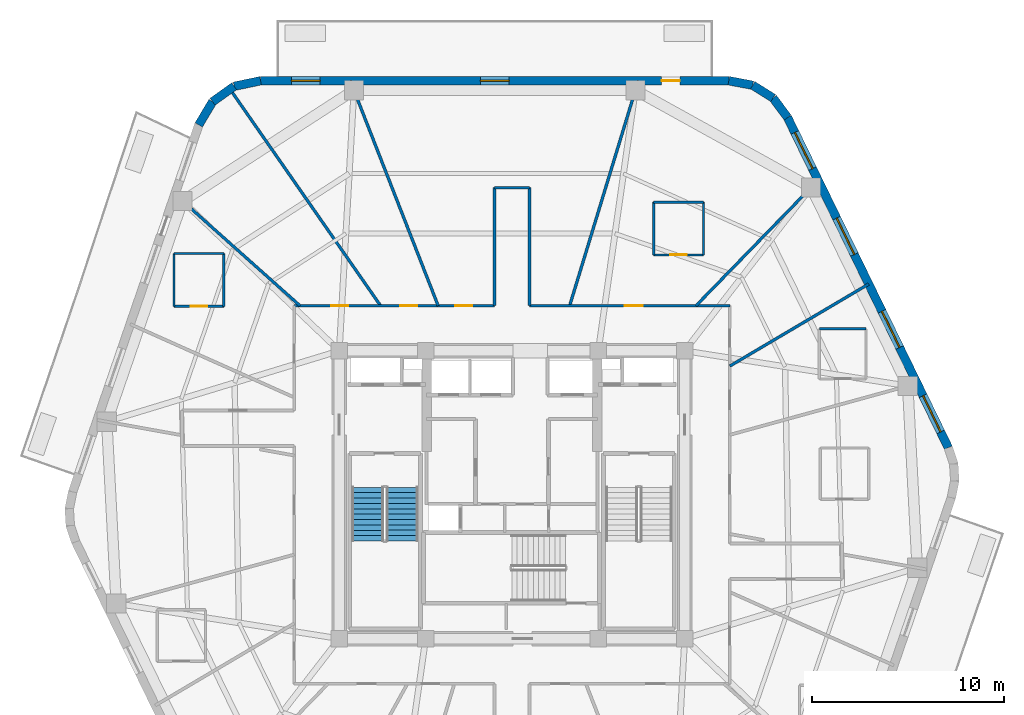
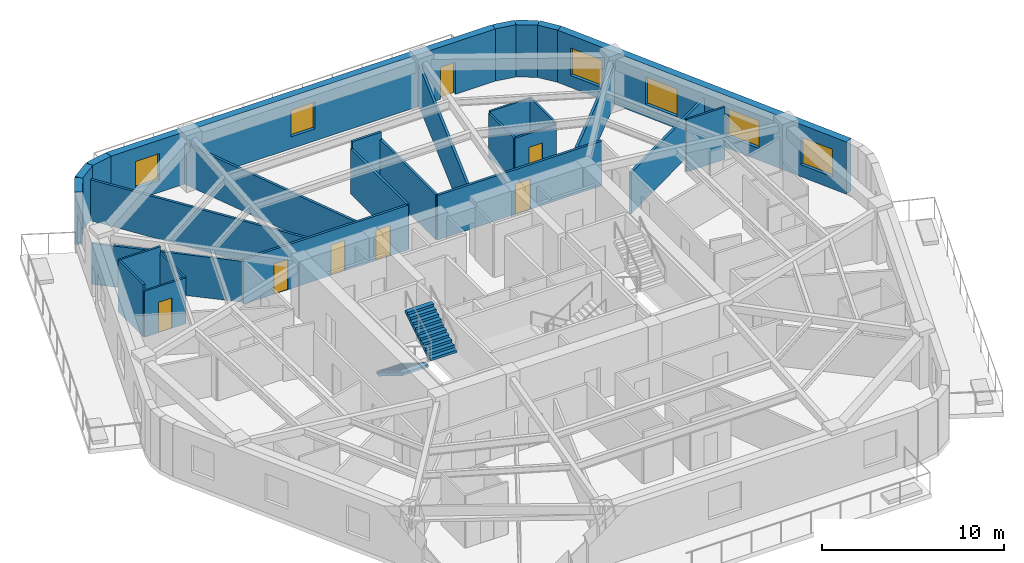
# One storey, part 6 of 9: 28 walls, 7 doors, 6 windows, 2 stair flights, 13 openings, 1 element without a shape of its own.
"""IFC4 building model written with IfcOpenShell, lengths in metres."""

from ifc_helpers import new_model, si_unit, direction, frame, frame_2d, origin, place, context, subcontext, project, spatial, polyline, rectangle, outline, extrude, material, layer, layer_set, type_object, element, fill, aggregate, save


model = new_model("IFC4")

# Units and contexts
model_context = context("Model", 3, precision=1e-05, world=origin(), true_north=direction((0.0, 1.0)))
body_context = subcontext(model_context, "Body", "Model", "MODEL_VIEW")
ifc_project = project(units=[si_unit("LENGTHUNIT", "METRE"), si_unit("AREAUNIT", "SQUARE_METRE"), si_unit("VOLUMEUNIT", "CUBIC_METRE"), si_unit("PLANEANGLEUNIT", "RADIAN"), si_unit("MASSUNIT", "GRAM", prefix="KILO")], contexts=[model_context])

# Site, building, storey
site_placement = place(None, origin())
site = spatial("IfcSite", under=ifc_project, at=site_placement, CompositionType="ELEMENT")
building_placement = place(site_placement, origin())
building = spatial("IfcBuilding", under=site, at=building_placement, Name="Kilnhurst Terrace Hotel", CompositionType="ELEMENT")
storey_placement = place(building_placement, frame((0.0, 0.0, 225.5)))
storey = spatial("IfcBuildingStorey", under=building, at=storey_placement, Name="L56", CompositionType="ELEMENT", Elevation=225.5)

# Walls
ifc_material_1 = material(Name="Precast concrete C40/50", Category="concrete")
ifc_layer_1 = layer(ifc_material_1, 0.449951171875, Name="Precast concrete C40/50")
ifc_layer_set_1 = layer_set([ifc_layer_1], Name="Precast concrete C40/50")
wall_type_1 = type_object("IfcWallType", Name="WL-BRK-450", PredefinedType="SOLIDWALL", material=ifc_layer_set_1)
wall_1_placement = place(storey_placement, frame((14.3623046875, 19.658447265625, 0.0), z_axis=(0.0, 0.0, 1.0), x_axis=(-0.596642462792, 0.80250717853, 0.0)))
element("IfcWall", 1, at=wall_1_placement, inside=storey, type_object=wall_type_1, Name="L56 Rounded Corner Brick Wall C4.1", PredefinedType="SOLIDWALL", context=body_context, shape_type="SweptSolid", body=[
    extrude(rectangle(XDim=1.27001953125, YDim=0.449951171875, at=frame_2d((0.635009765625, 0.0))), origin(), (0.0, 0.0, 1.0), 3.5),
])
wall_2_placement = place(storey_placement, frame((13.6044921875, 20.677734375, 0.0), z_axis=(0.0, 0.0, 1.0), x_axis=(-0.847910404124, 0.53013955387, 0.0)))
element("IfcWall", 2, at=wall_2_placement, inside=storey, type_object=wall_type_1, Name="L56 Rounded Corner Brick Wall C4.2", PredefinedType="SOLIDWALL", context=body_context, shape_type="SweptSolid", body=[
    extrude(rectangle(XDim=1.24853515625, YDim=0.449951171875, at=frame_2d((0.624267578125, 0.0))), origin(), (0.0, 0.0, 1.0), 3.5),
])
wall_3_placement = place(storey_placement, frame((12.5458984375, 21.339599609375, 0.0), z_axis=(0.0, 0.0, 1.0), x_axis=(-0.982686750835, 0.18527479519, 0.0)))
element("IfcWall", 3, at=wall_3_placement, inside=storey, type_object=wall_type_1, Name="L56 Rounded Corner Brick Wall C4.3", PredefinedType="SOLIDWALL", context=body_context, shape_type="SweptSolid", body=[
    extrude(rectangle(XDim=1.270263671875, YDim=0.449951171875, at=frame_2d((0.63525390625, 0.0))), origin(), (0.0, 0.0, 1.0), 3.5),
])
wall_4_placement = place(storey_placement, frame((-13.1015625, 21.574951171875, 0.0), z_axis=(0.0, 0.0, 1.0), x_axis=(-0.978757421505, -0.205021730188, 0.0)))
element("IfcWall", 4, at=wall_4_placement, inside=storey, type_object=wall_type_1, Name="L56 Rounded Corner Brick Wall C5.1", PredefinedType="SOLIDWALL", context=body_context, shape_type="SweptSolid", body=[
    extrude(rectangle(XDim=1.40625, YDim=0.449951171875, at=frame_2d((0.703125, 0.0))), origin(), (0.0, 0.0, 1.0), 3.5),
])
wall_5_placement = place(storey_placement, frame((-14.47802734375, 21.28662109375, 0.0), z_axis=(0.0, 0.0, 1.0), x_axis=(-0.813888518617, -0.58102106611, 0.0)))
element("IfcWall", 5, at=wall_5_placement, inside=storey, type_object=wall_type_1, Name="L56 Rounded Corner Brick Wall C5.2", PredefinedType="SOLIDWALL", context=body_context, shape_type="SweptSolid", body=[
    extrude(rectangle(XDim=1.3828125, YDim=0.449951171875, at=frame_2d((0.69140625, 0.0))), origin(), (0.0, 0.0, 1.0), 3.5),
])
wall_6_placement = place(storey_placement, frame((-15.603515625, 20.483154296875, 0.0), z_axis=(0.0, 0.0, 1.0), x_axis=(-0.512222149036, -0.858852996756, 0.0)))
element("IfcWall", 6, at=wall_6_placement, inside=storey, type_object=wall_type_1, Name="L56 Rounded Corner Brick Wall C5.3", PredefinedType="SOLIDWALL", context=body_context, shape_type="SweptSolid", body=[
    extrude(rectangle(XDim=1.406494140625, YDim=0.449951171875, at=frame_2d((0.703125, 0.0))), origin(), (0.0, 0.0, 1.0), 3.5),
])

# Wall, openings, windows
wall_7_placement = place(storey_placement, frame((22.73974609375, 2.4521484375, 0.0), z_axis=(0.0, 0.0, 1.0), x_axis=(-0.437753424814, 0.899095066755, 0.0)))
wall_7 = element("IfcWall", 7, at=wall_7_placement, inside=storey, type_object=wall_type_1, Name="L56 Exterior Brick Facade Wall F3", PredefinedType="SOLIDWALL", context=body_context, shape_type="SweptSolid", body=[
    extrude(rectangle(XDim=19.137451171875, YDim=0.449951171875, at=frame_2d((9.56884765625, 0.0))), origin(), (0.0, 0.0, 1.0), 3.5),
])
opening_1_placement = place(wall_7_placement, frame((5.804931640625, 0.0, 0.800048828125)))
opening_1 = element("IfcOpeningElement", 8, at=opening_1_placement, cuts=wall_7, Name="Opening W-04", PredefinedType="OPENING", context=body_context, shape_type="SweptSolid", body=[
    extrude(rectangle(XDim=2.10009765625, YDim=1.85009765625, at=frame_2d((1.050048828125, 0.925048828125))), frame((0.0, 0.23486328125, 0.0), z_axis=(0.0, -1.0, 0.0), x_axis=(1.0, 0.0, 0.0)), (0.0, 0.0, 1.0), 0.469970703125),
])
opening_2_placement = place(wall_7_placement, frame((11.198974609375, 0.0, 0.800048828125)))
opening_2 = element("IfcOpeningElement", 9, at=opening_2_placement, cuts=wall_7, Name="Opening W-04", PredefinedType="OPENING", context=body_context, shape_type="SweptSolid", body=[
    extrude(rectangle(XDim=2.10009765625, YDim=1.85009765625, at=frame_2d((1.050048828125, 0.925048828125))), frame((0.0, 0.23486328125, 0.0), z_axis=(0.0, -1.0, 0.0), x_axis=(1.0, 0.0, 0.0)), (0.0, 0.0, 1.0), 0.469970703125),
])
opening_3_placement = place(wall_7_placement, frame((16.173095703125, 0.0, 0.800048828125)))
opening_3 = element("IfcOpeningElement", 10, at=opening_3_placement, cuts=wall_7, Name="Opening W-04", PredefinedType="OPENING", context=body_context, shape_type="SweptSolid", body=[
    extrude(rectangle(XDim=2.10009765625, YDim=1.85009765625, at=frame_2d((1.050048828125, 0.925048828125))), frame((0.0, 0.23486328125, 0.0), z_axis=(0.0, -1.0, 0.0), x_axis=(1.0, 0.0, 0.0)), (0.0, 0.0, 1.0), 0.469970703125),
])
opening_4_placement = place(wall_7_placement, frame((0.916015625, 0.0, 0.800048828125)))
opening_4 = element("IfcOpeningElement", 11, at=opening_4_placement, cuts=wall_7, Name="Opening W-04", PredefinedType="OPENING", context=body_context, shape_type="SweptSolid", body=[
    extrude(rectangle(XDim=2.10009765625, YDim=1.85009765625, at=frame_2d((1.050048828125, 0.925048828125))), frame((0.0, 0.23486328125, 0.0), z_axis=(0.0, -1.0, 0.0), x_axis=(1.0, 0.0, 0.0)), (0.0, 0.0, 1.0), 0.469970703125),
])
ifc_material_2 = material(Name="Thermally Broken Bronze Aluminium Alloy 6063-T6 and Low-E Glass", Category="aluminium")
window_type_1 = type_object("IfcWindowType", Name="WIN-2100X1850", PartitioningType="SINGLE_PANEL", PredefinedType="WINDOW", material=ifc_material_2)
window_1_placement = place(opening_1_placement, origin())
window_1 = element("IfcWindow", 12, at=window_1_placement, inside=storey, type_object=window_type_1, Name="L56 Deep-Set Masonry Window F3.1", OverallHeight=1.85009765625, OverallWidth=2.10009765625, PartitioningType="SINGLE_PANEL", PredefinedType="WINDOW", context=body_context, shape_type="SweptSolid", body=[
    extrude(rectangle(XDim=2.10009765625, YDim=1.85009765625, at=frame_2d((1.050048828125, 0.925048828125))), frame((0.0, 0.030029296875, 0.0), z_axis=(0.0, -1.0, 0.0), x_axis=(1.0, 0.0, 0.0)), (0.0, 0.0, 1.0), 0.06005859375),
])
fill(opening_1, window_1)
window_2_placement = place(opening_2_placement, origin())
window_2 = element("IfcWindow", 13, at=window_2_placement, inside=storey, type_object=window_type_1, Name="L56 Deep-Set Masonry Window F3.2", OverallHeight=1.85009765625, OverallWidth=2.10009765625, PartitioningType="SINGLE_PANEL", PredefinedType="WINDOW", context=body_context, shape_type="SweptSolid", body=[
    extrude(rectangle(XDim=2.10009765625, YDim=1.85009765625, at=frame_2d((1.050048828125, 0.925048828125))), frame((0.0, 0.030029296875, 0.0), z_axis=(0.0, -1.0, 0.0), x_axis=(1.0, 0.0, 0.0)), (0.0, 0.0, 1.0), 0.06005859375),
])
fill(opening_2, window_2)
window_3_placement = place(opening_3_placement, origin())
window_3 = element("IfcWindow", 14, at=window_3_placement, inside=storey, type_object=window_type_1, Name="L56 Deep-Set Masonry Window F3.3", OverallHeight=1.85009765625, OverallWidth=2.10009765625, PartitioningType="SINGLE_PANEL", PredefinedType="WINDOW", context=body_context, shape_type="SweptSolid", body=[
    extrude(rectangle(XDim=2.10009765625, YDim=1.85009765625, at=frame_2d((1.050048828125, 0.925048828125))), frame((0.0, 0.030029296875, 0.0), z_axis=(0.0, -1.0, 0.0), x_axis=(1.0, 0.0, 0.0)), (0.0, 0.0, 1.0), 0.06005859375),
])
fill(opening_3, window_3)
window_4_placement = place(opening_4_placement, origin())
window_4 = element("IfcWindow", 15, at=window_4_placement, inside=storey, type_object=window_type_1, Name="L56 Deep-Set Masonry Window F3.4", OverallHeight=1.85009765625, OverallWidth=2.10009765625, PartitioningType="SINGLE_PANEL", PredefinedType="WINDOW", context=body_context, shape_type="SweptSolid", body=[
    extrude(rectangle(XDim=2.10009765625, YDim=1.85009765625, at=frame_2d((1.050048828125, 0.925048828125))), frame((0.0, 0.030029296875, 0.0), z_axis=(0.0, -1.0, 0.0), x_axis=(1.0, 0.0, 0.0)), (0.0, 0.0, 1.0), 0.06005859375),
])
fill(opening_4, window_4)

# Wall, openings, door, windows
wall_8_placement = place(storey_placement, frame((11.297607421875, 21.574951171875, 0.0), z_axis=(0.0, 0.0, 1.0), x_axis=(-1.0, 0.0, 0.0)))
wall_8 = element("IfcWall", 16, at=wall_8_placement, inside=storey, type_object=wall_type_1, Name="L56 Exterior Brick Facade Wall F4", PredefinedType="SOLIDWALL", context=body_context, shape_type="SweptSolid", body=[
    extrude(rectangle(XDim=24.399169921875, YDim=0.449951171875, at=frame_2d((12.19970703125, 0.0))), origin(), (0.0, 0.0, 1.0), 3.5),
])
opening_5_placement = place(wall_8_placement, frame((2.550048828125, 0.0, 0.0)))
opening_5 = element("IfcOpeningElement", 17, at=opening_5_placement, cuts=wall_8, Name="Opening BD-950", PredefinedType="OPENING", context=body_context, shape_type="SweptSolid", body=[
    extrude(rectangle(XDim=0.949951171875, YDim=2.14990234375, at=frame_2d((0.47509765625, 1.074951171875))), frame((0.0, 0.23486328125, 0.0), z_axis=(0.0, -1.0, 0.0), x_axis=(1.0, 0.0, 0.0)), (0.0, 0.0, 1.0), 0.469970703125),
])
opening_6_placement = place(wall_8_placement, frame((11.450927734375, 0.0, 0.800048828125)))
opening_6 = element("IfcOpeningElement", 18, at=opening_6_placement, cuts=wall_8, Name="Opening W-02", PredefinedType="OPENING", context=body_context, shape_type="SweptSolid", body=[
    extrude(rectangle(XDim=1.5, YDim=1.800048828125, at=frame_2d((0.75, 0.89990234375))), frame((0.0, 0.23486328125, 0.0), z_axis=(0.0, -1.0, 0.0), x_axis=(1.0, 0.0, 0.0)), (0.0, 0.0, 1.0), 0.469970703125),
])
opening_7_placement = place(wall_8_placement, frame((21.2958984375, 0.0, 0.800048828125)))
opening_7 = element("IfcOpeningElement", 19, at=opening_7_placement, cuts=wall_8, Name="Opening W-02", PredefinedType="OPENING", context=body_context, shape_type="SweptSolid", body=[
    extrude(rectangle(XDim=1.5, YDim=1.800048828125, at=frame_2d((0.75, 0.89990234375))), frame((0.0, 0.23486328125, 0.0), z_axis=(0.0, -1.0, 0.0), x_axis=(1.0, 0.0, 0.0)), (0.0, 0.0, 1.0), 0.469970703125),
])
ifc_material_3 = material(Name="Thermally Broken Bronze Aluminium Alloy 6063-T6 and Laminated Glass", Category="aluminium")
door_type_1 = type_object("IfcDoorType", Name="DR-EXT-BAL-950", OperationType="NOTDEFINED", PredefinedType="DOOR", material=ifc_material_3)
door_1_placement = place(opening_5_placement, origin())
door_1 = element("IfcDoor", 20, at=door_1_placement, inside=storey, type_object=door_type_1, Name="L56 Planted Balcony Door BAL-L2A", OperationType="SINGLE_SWING_RIGHT", OverallHeight=2.14990234375, OverallWidth=0.949951171875, PredefinedType="DOOR", context=body_context, shape_type="SweptSolid", body=[
    extrude(rectangle(XDim=0.949951171875, YDim=2.14990234375, at=frame_2d((0.47509765625, 1.074951171875))), frame((0.0, 0.02490234375, 0.0), z_axis=(0.0, -1.0, 0.0), x_axis=(1.0, 0.0, 0.0)), (0.0, 0.0, 1.0), 0.050048828125),
])
fill(opening_5, door_1)
window_type_2 = type_object("IfcWindowType", Name="WIN-1500X1800", PartitioningType="SINGLE_PANEL", PredefinedType="WINDOW", material=ifc_material_2)
window_5_placement = place(opening_6_placement, origin())
window_5 = element("IfcWindow", 21, at=window_5_placement, inside=storey, type_object=window_type_2, Name="L56 Deep-Set Masonry Window F4.1", OverallHeight=1.800048828125, OverallWidth=1.5, PartitioningType="SINGLE_PANEL", PredefinedType="WINDOW", context=body_context, shape_type="SweptSolid", body=[
    extrude(rectangle(XDim=1.5, YDim=1.800048828125, at=frame_2d((0.75, 0.89990234375))), frame((0.0, 0.030029296875, 0.0), z_axis=(0.0, -1.0, 0.0), x_axis=(1.0, 0.0, 0.0)), (0.0, 0.0, 1.0), 0.06005859375),
])
fill(opening_6, window_5)
window_6_placement = place(opening_7_placement, origin())
window_6 = element("IfcWindow", 22, at=window_6_placement, inside=storey, type_object=window_type_2, Name="L56 Deep-Set Masonry Window F4.2", OverallHeight=1.800048828125, OverallWidth=1.5, PartitioningType="SINGLE_PANEL", PredefinedType="WINDOW", context=body_context, shape_type="SweptSolid", body=[
    extrude(rectangle(XDim=1.5, YDim=1.800048828125, at=frame_2d((0.75, 0.89990234375))), frame((0.0, 0.030029296875, 0.0), z_axis=(0.0, -1.0, 0.0), x_axis=(1.0, 0.0, 0.0)), (0.0, 0.0, 1.0), 0.06005859375),
])
fill(opening_7, window_6)

# Wall, openings, doors
ifc_material_4 = material(Name="Acoustic Double-Gypsum Corridor Partition Assembly")
ifc_layer_2 = layer(ifc_material_4, 0.14990234375, Name="Acoustic Double-Gypsum Corridor Partition Assembly")
ifc_layer_set_2 = layer_set([ifc_layer_2], Name="Acoustic Double-Gypsum Corridor Partition Assembly")
wall_type_2 = type_object("IfcWallType", Name="WL-COR-150", PredefinedType="PARTITIONING", material=ifc_layer_set_2)
wall_9_placement = place(storey_placement, frame((-11.35009765625, 9.85009765625, 0.0), z_axis=(0.0, 0.0, 1.0), x_axis=(1.0, 0.0, 0.0)))
wall_9 = element("IfcWall", 23, at=wall_9_placement, inside=storey, type_object=wall_type_2, Name="L56 Interior Wall WL-L56-COR-06", PredefinedType="PARTITIONING", context=body_context, shape_type="SweptSolid", body=[
    extrude(rectangle(XDim=10.43017578125, YDim=0.14990234375, at=frame_2d((5.215087890625, 0.0))), origin(), (0.0, 0.0, 1.0), 2.989990234375),
])
opening_8_placement = place(wall_9_placement, frame((8.386962890625, 0.0, 0.0)))
opening_8 = element("IfcOpeningElement", 24, at=opening_8_placement, cuts=wall_9, Name="Opening D-60C", PredefinedType="OPENING", context=body_context, shape_type="SweptSolid", body=[
    extrude(rectangle(XDim=0.89990234375, YDim=2.030029296875, at=frame_2d((0.449951171875, 1.01513671875))), frame((0.0, 0.0849609375, 0.0), z_axis=(0.0, -1.0, 0.0), x_axis=(1.0, 0.0, 0.0)), (0.0, 0.0, 1.0), 0.169921875),
])
opening_9_placement = place(wall_9_placement, frame((5.52490234375, 0.0, 0.0)))
opening_9 = element("IfcOpeningElement", 25, at=opening_9_placement, cuts=wall_9, Name="Opening D-60C", PredefinedType="OPENING", context=body_context, shape_type="SweptSolid", body=[
    extrude(rectangle(XDim=0.89990234375, YDim=2.030029296875, at=frame_2d((0.449951171875, 1.01513671875))), frame((0.0, 0.0849609375, 0.0), z_axis=(0.0, -1.0, 0.0), x_axis=(1.0, 0.0, 0.0)), (0.0, 0.0, 1.0), 0.169921875),
])
opening_10_placement = place(wall_9_placement, frame((1.9208984375, 0.0, 0.0)))
opening_10 = element("IfcOpeningElement", 26, at=opening_10_placement, cuts=wall_9, Name="Opening D-60C", PredefinedType="OPENING", context=body_context, shape_type="SweptSolid", body=[
    extrude(rectangle(XDim=0.89990234375, YDim=2.030029296875, at=frame_2d((0.449951171875, 1.01513671875))), frame((0.0, 0.0849609375, 0.0), z_axis=(0.0, -1.0, 0.0), x_axis=(1.0, 0.0, 0.0)), (0.0, 0.0, 1.0), 0.169921875),
])
ifc_material_5 = material(Name="Painted Solid-Core Service Fire Door")
door_type_2 = type_object("IfcDoorType", Name="DR-FD60-900", OperationType="NOTDEFINED", PredefinedType="DOOR", material=ifc_material_5)
door_2_placement = place(opening_8_placement, origin())
door_2 = element("IfcDoor", 27, at=door_2_placement, inside=storey, type_object=door_type_2, Name="L56 Executive Work Office Door 4", OperationType="SINGLE_SWING_RIGHT", OverallHeight=2.030029296875, OverallWidth=0.89990234375, PredefinedType="DOOR", context=body_context, shape_type="SweptSolid", body=[
    extrude(rectangle(XDim=0.89990234375, YDim=2.030029296875, at=frame_2d((0.449951171875, 1.01513671875))), frame((0.0, 0.02490234375, 0.0), z_axis=(0.0, -1.0, 0.0), x_axis=(1.0, 0.0, 0.0)), (0.0, 0.0, 1.0), 0.050048828125),
])
fill(opening_8, door_2)
door_3_placement = place(opening_9_placement, origin())
door_3 = element("IfcDoor", 28, at=door_3_placement, inside=storey, type_object=door_type_2, Name="L56 Botanical Reading Lounge Door 5", OperationType="SINGLE_SWING_LEFT", OverallHeight=2.030029296875, OverallWidth=0.89990234375, PredefinedType="DOOR", context=body_context, shape_type="SweptSolid", body=[
    extrude(rectangle(XDim=0.89990234375, YDim=2.030029296875, at=frame_2d((0.449951171875, 1.01513671875))), frame((0.0, 0.02490234375, 0.0), z_axis=(0.0, -1.0, 0.0), x_axis=(1.0, 0.0, 0.0)), (0.0, 0.0, 1.0), 0.050048828125),
])
fill(opening_9, door_3)
door_4_placement = place(opening_10_placement, origin())
door_4 = element("IfcDoor", 29, at=door_4_placement, inside=storey, type_object=door_type_2, Name="L56 Private Meeting Salon Door 6", OperationType="SINGLE_SWING_RIGHT", OverallHeight=2.030029296875, OverallWidth=0.89990234375, PredefinedType="DOOR", context=body_context, shape_type="SweptSolid", body=[
    extrude(rectangle(XDim=0.89990234375, YDim=2.030029296875, at=frame_2d((0.449951171875, 1.01513671875))), frame((0.0, 0.02490234375, 0.0), z_axis=(0.0, -1.0, 0.0), x_axis=(1.0, 0.0, 0.0)), (0.0, 0.0, 1.0), 0.050048828125),
])
fill(opening_10, door_4)

# Walls
wall_10_placement = place(storey_placement, frame((-0.919921875, 9.85009765625, 0.0), z_axis=(0.0, 0.0, 1.0), x_axis=(0.0, 1.0, 0.0)))
element("IfcWall", 30, at=wall_10_placement, inside=storey, type_object=wall_type_2, Name="L56 Interior Wall WL-L56-COR-07", PredefinedType="PARTITIONING", context=body_context, shape_type="SweptSolid", body=[
    extrude(rectangle(XDim=6.14990234375, YDim=0.14990234375, at=frame_2d((3.074951171875, 0.0))), origin(), (0.0, 0.0, 1.0), 3.026611328125),
])
wall_11_placement = place(storey_placement, frame((-0.919921875, 16.0, 0.0), z_axis=(0.0, 0.0, 1.0), x_axis=(1.0, 0.0, 0.0)))
element("IfcWall", 31, at=wall_11_placement, inside=storey, type_object=wall_type_2, Name="L56 Interior Wall WL-L56-COR-08", PredefinedType="PARTITIONING", context=body_context, shape_type="SweptSolid", body=[
    extrude(rectangle(XDim=1.83984375, YDim=0.14990234375, at=frame_2d((0.919921875, 0.0))), origin(), (0.0, 0.0, 1.0), 3.5),
])
wall_12_placement = place(storey_placement, frame((0.919921875, 16.0, 0.0), z_axis=(0.0, 0.0, 1.0), x_axis=(0.0, -1.0, 0.0)))
element("IfcWall", 32, at=wall_12_placement, inside=storey, type_object=wall_type_2, Name="L56 Interior Wall WL-L56-COR-09", PredefinedType="PARTITIONING", context=body_context, shape_type="SweptSolid", body=[
    extrude(rectangle(XDim=6.14990234375, YDim=0.14990234375, at=frame_2d((3.074951171875, 0.0))), origin(), (0.0, 0.0, 1.0), 3.026611328125),
])

# Wall, opening, door
wall_13_placement = place(storey_placement, frame((0.919921875, 9.85009765625, 0.0), z_axis=(0.0, 0.0, 1.0), x_axis=(1.0, 0.0, 0.0)))
wall_13 = element("IfcWall", 33, at=wall_13_placement, inside=storey, type_object=wall_type_2, Name="L56 Interior Wall WL-L56-COR-10", PredefinedType="PARTITIONING", context=body_context, shape_type="SweptSolid", body=[
    extrude(rectangle(XDim=10.43017578125, YDim=0.14990234375, at=frame_2d((5.215087890625, 0.0))), origin(), (0.0, 0.0, 1.0), 2.989990234375),
])
opening_11_placement = place(wall_13_placement, frame((4.948974609375, 0.0, 0.0)))
opening_11 = element("IfcOpeningElement", 34, at=opening_11_placement, cuts=wall_13, Name="Opening D-60B", PredefinedType="OPENING", context=body_context, shape_type="SweptSolid", body=[
    extrude(rectangle(XDim=0.949951171875, YDim=2.030029296875, at=frame_2d((0.47509765625, 1.01513671875))), frame((0.0, 0.0849609375, 0.0), z_axis=(0.0, -1.0, 0.0), x_axis=(1.0, 0.0, 0.0)), (0.0, 0.0, 1.0), 0.169921875),
])
ifc_material_6 = material(Name="Acoustic Walnut Veneer Solid-Core Fire Door")
door_type_3 = type_object("IfcDoorType", Name="DR-FD60-950", OperationType="NOTDEFINED", PredefinedType="DOOR", material=ifc_material_6)
door_5_placement = place(opening_11_placement, origin())
door_5 = element("IfcDoor", 35, at=door_5_placement, inside=storey, type_object=door_type_3, Name="L56 Executive Suite Entry Door 3", OperationType="SINGLE_SWING_LEFT", OverallHeight=2.030029296875, OverallWidth=0.949951171875, PredefinedType="DOOR", context=body_context, shape_type="SweptSolid", body=[
    extrude(rectangle(XDim=0.949951171875, YDim=2.030029296875, at=frame_2d((0.47509765625, 1.01513671875))), frame((0.0, 0.02490234375, 0.0), z_axis=(0.0, -1.0, 0.0), x_axis=(1.0, 0.0, 0.0)), (0.0, 0.0, 1.0), 0.050048828125),
])
fill(opening_11, door_5)

# Walls
ifc_material_7 = material(Name="STC-58 Acoustic Twin-Frame Guestroom Demising Partition")
ifc_layer_3 = layer(ifc_material_7, 0.14990234375, Name="STC-58 Acoustic Twin-Frame Guestroom Demising Partition")
ifc_layer_set_3 = layer_set([ifc_layer_3], Name="STC-58 Acoustic Twin-Frame Guestroom Demising Partition")
wall_type_3 = type_object("IfcWallType", Name="WL-DEM-150", PredefinedType="PARTITIONING", material=ifc_layer_set_3)
wall_14_placement = place(storey_placement, frame((11.35009765625, 6.705078125, 0.0), z_axis=(0.0, 0.0, 1.0), x_axis=(0.86097625004, 0.508645158108, 0.0)))
element("IfcWall", 36, at=wall_14_placement, inside=storey, type_object=wall_type_3, Name="L56 Interior Wall WL-L56-DEM-MID01-02-1", PredefinedType="PARTITIONING", context=body_context, shape_type="SweptSolid", body=[
    extrude(rectangle(XDim=8.406005859375, YDim=0.14990234375, at=frame_2d((4.203125, 0.0))), origin(), (0.0, 0.0, 1.0), 2.739990234375),
])
wall_15_placement = place(storey_placement, frame((9.587890625, 9.85009765625, 0.0), z_axis=(0.0, 0.0, 1.0), x_axis=(0.697519469595, 0.716565830567, 0.0)))
element("IfcWall", 37, at=wall_15_placement, inside=storey, type_object=wall_type_3, Name="L56 Interior Wall WL-L56-DEM-COL02-03-1", PredefinedType="PARTITIONING", context=body_context, shape_type="SweptSolid", body=[
    extrude(rectangle(XDim=9.12646484375, YDim=0.14990234375, at=frame_2d((4.563232421875, 0.0))), origin(), (0.0, 0.0, 1.0), 2.739990234375),
])
wall_16_placement = place(storey_placement, frame((3.00439453125, 9.85009765625, 0.0), z_axis=(0.0, 0.0, 1.0), x_axis=(0.291775760688, 0.956486751333, 0.0)))
element("IfcWall", 38, at=wall_16_placement, inside=storey, type_object=wall_type_3, Name="L56 Interior Wall WL-L56-DEM-COL03-04-1", PredefinedType="PARTITIONING", context=body_context, shape_type="SweptSolid", body=[
    extrude(rectangle(XDim=12.25830078125, YDim=0.14990234375, at=frame_2d((6.129150390625, 0.0))), origin(), (0.0, 0.0, 1.0), 2.739990234375),
])
wall_17_placement = place(storey_placement, frame((-3.848388671875, 9.85009765625, 0.0), z_axis=(0.0, 0.0, 1.0), x_axis=(-0.363921778212, 0.931429513889, 0.0)))
element("IfcWall", 39, at=wall_17_placement, inside=storey, type_object=wall_type_3, Name="L56 Interior Wall WL-L56-DEM-COL04-05-1", PredefinedType="PARTITIONING", context=body_context, shape_type="SweptSolid", body=[
    extrude(rectangle(XDim=12.588134765625, YDim=0.14990234375, at=frame_2d((6.2939453125, 0.0))), origin(), (0.0, 0.0, 1.0), 2.739990234375),
])
wall_18_placement = place(storey_placement, frame((-6.848876953125, 9.85009765625, 0.0), z_axis=(0.0, 0.0, 1.0), x_axis=(-0.570871709026, 0.821039275451, 0.0)))
element("IfcWall", 40, at=wall_18_placement, inside=storey, type_object=wall_type_3, Name="L56 Interior Wall WL-L56-DEM-MID04-06-1", PredefinedType="PARTITIONING", context=body_context, shape_type="SweptSolid", body=[
    extrude(rectangle(XDim=13.581787109375, YDim=0.14990234375, at=frame_2d((6.791015625, 0.0))), origin(), (0.0, 0.0, 1.0), 2.739990234375),
])
wall_19_placement = place(storey_placement, frame((-11.04833984375, 9.85009765625, 0.0), z_axis=(0.0, 0.0, 1.0), x_axis=(-0.746444434655, 0.665447748492, 0.0)))
element("IfcWall", 41, at=wall_19_placement, inside=storey, type_object=wall_type_3, Name="L56 Interior Wall WL-L56-DEM-COL05-07-1", PredefinedType="PARTITIONING", context=body_context, shape_type="SweptSolid", body=[
    extrude(rectangle(XDim=8.732177734375, YDim=0.14990234375, at=frame_2d((4.3662109375, 0.0))), origin(), (0.0, 0.0, 1.0), 2.739990234375),
])
ifc_material_8 = material(Name="120 mm Moisture-Resistant Tile-Backed Bathroom Partition")
ifc_layer_4 = layer(ifc_material_8, 0.1201171875, Name="120 mm Moisture-Resistant Tile-Backed Bathroom Partition")
ifc_layer_set_4 = layer_set([ifc_layer_4], Name="120 mm Moisture-Resistant Tile-Backed Bathroom Partition")
wall_type_4 = type_object("IfcWallType", Name="WL-PART-120", PredefinedType="PARTITIONING", material=ifc_layer_set_4)
wall_20_placement = place(storey_placement, frame((18.451904296875, 8.64404296875, 0.0), z_axis=(0.0, 0.0, 1.0), x_axis=(-1.0, 0.0, 0.0)))
element("IfcWall", 42, at=wall_20_placement, inside=storey, type_object=wall_type_4, Name="L56 Interior Wall WL-L56-BTH-01-3", PredefinedType="PARTITIONING", context=body_context, shape_type="SweptSolid", body=[
    extrude(rectangle(XDim=2.43994140625, YDim=0.1201171875, at=frame_2d((1.219970703125, 0.0))), origin(), (0.0, 0.0, 1.0), 3.5),
])

# Wall, opening, door
wall_21_placement = place(storey_placement, frame((7.383056640625, 12.4970703125, 0.0), z_axis=(0.0, 0.0, 1.0), x_axis=(1.0, 0.0, 0.0)))
wall_21 = element("IfcWall", 43, at=wall_21_placement, inside=storey, type_object=wall_type_4, Name="L56 Interior Wall WL-L56-BTH-03-1", PredefinedType="PARTITIONING", context=body_context, shape_type="SweptSolid", body=[
    extrude(rectangle(XDim=2.599853515625, YDim=0.1201171875, at=frame_2d((1.2998046875, 0.0))), origin(), (0.0, 0.0, 1.0), 2.9404296875),
])
opening_12_placement = place(wall_21_placement, frame((0.875, 0.0, 0.0)))
opening_12 = element("IfcOpeningElement", 44, at=opening_12_placement, cuts=wall_21, Name="Opening D-08A", PredefinedType="OPENING", context=body_context, shape_type="SweptSolid", body=[
    extrude(rectangle(XDim=0.85009765625, YDim=2.030029296875, at=frame_2d((0.425048828125, 1.01513671875))), frame((0.0, 0.070068359375, 0.0), z_axis=(0.0, -1.0, 0.0), x_axis=(1.0, 0.0, 0.0)), (0.0, 0.0, 1.0), 0.14013671875),
])
ifc_material_9 = material(Name="Moisture-Resistant Lacquered En-suite Bathroom Door")
door_type_4 = type_object("IfcDoorType", Name="DR-INT-850", OperationType="NOTDEFINED", PredefinedType="DOOR", material=ifc_material_9)
door_6_placement = place(opening_12_placement, origin())
door_6 = element("IfcDoor", 45, at=door_6_placement, inside=storey, type_object=door_type_4, Name="L56 En-suite Bathroom Door 3", OperationType="SINGLE_SWING_RIGHT", OverallHeight=2.030029296875, OverallWidth=0.85009765625, PredefinedType="DOOR", context=body_context, shape_type="SweptSolid", body=[
    extrude(rectangle(XDim=0.85009765625, YDim=2.030029296875, at=frame_2d((0.425048828125, 1.01513671875))), frame((0.0, 0.02490234375, 0.0), z_axis=(0.0, -1.0, 0.0), x_axis=(1.0, 0.0, 0.0)), (0.0, 0.0, 1.0), 0.050048828125),
])
fill(opening_12, door_6)

# Walls
wall_22_placement = place(storey_placement, frame((9.98291015625, 12.4970703125, 0.0), z_axis=(0.0, 0.0, 1.0), x_axis=(0.0, 1.0, 0.0)))
element("IfcWall", 46, at=wall_22_placement, inside=storey, type_object=wall_type_4, Name="L56 Interior Wall WL-L56-BTH-03-2", PredefinedType="PARTITIONING", context=body_context, shape_type="SweptSolid", body=[
    extrude(rectangle(XDim=2.75, YDim=0.1201171875, at=frame_2d((1.375, 0.0))), origin(), (0.0, 0.0, 1.0), 3.072509765625),
])
wall_23_placement = place(storey_placement, frame((9.98291015625, 15.2470703125, 0.0), z_axis=(0.0, 0.0, 1.0), x_axis=(-1.0, 0.0, 0.0)))
element("IfcWall", 47, at=wall_23_placement, inside=storey, type_object=wall_type_4, Name="L56 Interior Wall WL-L56-BTH-03-3", PredefinedType="PARTITIONING", context=body_context, shape_type="SweptSolid", body=[
    extrude(rectangle(XDim=2.599853515625, YDim=0.1201171875, at=frame_2d((1.2998046875, 0.0))), origin(), (0.0, 0.0, 1.0), 3.072509765625),
])
wall_24_placement = place(storey_placement, frame((7.383056640625, 15.2470703125, 0.0), z_axis=(0.0, 0.0, 1.0), x_axis=(0.0, -1.0, 0.0)))
element("IfcWall", 48, at=wall_24_placement, inside=storey, type_object=wall_type_4, Name="L56 Interior Wall WL-L56-BTH-03-4", PredefinedType="PARTITIONING", context=body_context, shape_type="SweptSolid", body=[
    extrude(rectangle(XDim=2.75, YDim=0.1201171875, at=frame_2d((1.375, 0.0))), origin(), (0.0, 0.0, 1.0), 2.9404296875),
])

# Wall, opening, door
wall_25_placement = place(storey_placement, frame((-17.616943359375, 9.822998046875, 0.0), z_axis=(0.0, 0.0, 1.0), x_axis=(1.0, 0.0, 0.0)))
wall_25 = element("IfcWall", 49, at=wall_25_placement, inside=storey, type_object=wall_type_4, Name="L56 Interior Wall WL-L56-BTH-07-1", PredefinedType="PARTITIONING", context=body_context, shape_type="SweptSolid", body=[
    extrude(rectangle(XDim=2.599853515625, YDim=0.1201171875, at=frame_2d((1.2998046875, 0.0))), origin(), (0.0, 0.0, 1.0), 3.072509765625),
])
opening_13_placement = place(wall_25_placement, frame((0.875, 0.0, 0.0)))
opening_13 = element("IfcOpeningElement", 50, at=opening_13_placement, cuts=wall_25, Name="Opening D-08A", PredefinedType="OPENING", context=body_context, shape_type="SweptSolid", body=[
    extrude(rectangle(XDim=0.85009765625, YDim=2.030029296875, at=frame_2d((0.425048828125, 1.01513671875))), frame((0.0, 0.070068359375, 0.0), z_axis=(0.0, -1.0, 0.0), x_axis=(1.0, 0.0, 0.0)), (0.0, 0.0, 1.0), 0.14013671875),
])
door_7_placement = place(opening_13_placement, origin())
door_7 = element("IfcDoor", 51, at=door_7_placement, inside=storey, type_object=door_type_4, Name="L56 En-suite Bathroom Door 7", OperationType="SINGLE_SWING_RIGHT", OverallHeight=2.030029296875, OverallWidth=0.85009765625, PredefinedType="DOOR", context=body_context, shape_type="SweptSolid", body=[
    extrude(rectangle(XDim=0.85009765625, YDim=2.030029296875, at=frame_2d((0.425048828125, 1.01513671875))), frame((0.0, 0.02490234375, 0.0), z_axis=(0.0, -1.0, 0.0), x_axis=(1.0, 0.0, 0.0)), (0.0, 0.0, 1.0), 0.050048828125),
])
fill(opening_13, door_7)

# Walls
wall_26_placement = place(storey_placement, frame((-15.01708984375, 9.822998046875, 0.0), z_axis=(0.0, 0.0, 1.0), x_axis=(0.0, 1.0, 0.0)))
element("IfcWall", 52, at=wall_26_placement, inside=storey, type_object=wall_type_4, Name="L56 Interior Wall WL-L56-BTH-07-2", PredefinedType="PARTITIONING", context=body_context, shape_type="SweptSolid", body=[
    extrude(rectangle(XDim=2.75, YDim=0.1201171875, at=frame_2d((1.375, 0.0))), origin(), (0.0, 0.0, 1.0), 3.072509765625),
])
wall_27_placement = place(storey_placement, frame((-15.01708984375, 12.572998046875, 0.0), z_axis=(0.0, 0.0, 1.0), x_axis=(-1.0, 0.0, 0.0)))
element("IfcWall", 53, at=wall_27_placement, inside=storey, type_object=wall_type_4, Name="L56 Interior Wall WL-L56-BTH-07-3", PredefinedType="PARTITIONING", context=body_context, shape_type="SweptSolid", body=[
    extrude(rectangle(XDim=2.599853515625, YDim=0.1201171875, at=frame_2d((1.2998046875, 0.0))), origin(), (0.0, 0.0, 1.0), 3.5),
])
wall_28_placement = place(storey_placement, frame((-17.616943359375, 12.572998046875, 0.0), z_axis=(0.0, 0.0, 1.0), x_axis=(0.0, -1.0, 0.0)))
element("IfcWall", 54, at=wall_28_placement, inside=storey, type_object=wall_type_4, Name="L56 Interior Wall WL-L56-BTH-07-4", PredefinedType="PARTITIONING", context=body_context, shape_type="SweptSolid", body=[
    extrude(rectangle(XDim=2.75, YDim=0.1201171875, at=frame_2d((1.375, 0.0))), origin(), (0.0, 0.0, 1.0), 3.5),
])

# Stair, stair flights
ifc_material_10 = material(Name="Concrete C50/60", Category="concrete")
stair_type = type_object("IfcStairType", Name="STR-CORE-1660", PredefinedType="HALF_TURN_STAIR", material=ifc_material_10)
stair_placement = place(storey_placement, origin())
stair = element("IfcStair", 55, at=stair_placement, inside=storey, type_object=stair_type, Name="L56 ST-1", PredefinedType="HALF_TURN_STAIR")
stair_flight_type = type_object("IfcStairFlightType", Name="FLT-RC-1660", PredefinedType="STRAIGHT", material=ifc_material_10)
stair_flight_1_placement = place(storey_placement, frame((-7.52001953125, 0.389892578125, 0.0), z_axis=(0.0, 0.0, 1.0), x_axis=(0.0, -1.0, 0.0)))
stair_flight_1 = element("IfcStairFlight", 56, at=stair_flight_1_placement, type_object=stair_flight_type, Name="ST-1 flight 1", NumberOfRisers=11, NumberOfTreads=10, PredefinedType="STRAIGHT", RiserHeight=0.172727273, TreadLength=0.28, context=body_context, shape_type="SweptSolid", body=[
    extrude(outline(polyline([(0.0, 0.0), (0.0, 0.172607421875), (0.280029296875, 0.172607421875), (0.280029296875, 0.345458984375), (0.56005859375, 0.345458984375), (0.56005859375, 0.51806640625), (0.840087890625, 0.51806640625), (0.840087890625, 0.69091796875), (1.1201171875, 0.69091796875), (1.1201171875, 0.863525390625), (1.39990234375, 0.863525390625), (1.39990234375, 1.036376953125), (1.679931640625, 1.036376953125), (1.679931640625, 1.208984375), (1.9599609375, 1.208984375), (1.9599609375, 1.3818359375), (2.239990234375, 1.3818359375), (2.239990234375, 1.554443359375), (2.52001953125, 1.554443359375), (2.52001953125, 1.727294921875), (2.800048828125, 1.727294921875), (2.800048828125, 1.89990234375), (2.800048828125, 1.551025390625), (0.285400390625, 0.0), (0.0, 0.0)])), frame((0.0, 0.830078125, 0.0), z_axis=(0.0, -1.0, 0.0), x_axis=(1.0, 0.0, 0.0)), (0.0, 0.0, 1.0), 1.659912109375),
])
stair_flight_2_placement = place(storey_placement, frame((-5.7099609375, -2.409912109375, 1.89990234375), z_axis=(0.0, 0.0, 1.0), x_axis=(0.0, 1.0, 0.0)))
stair_flight_2 = element("IfcStairFlight", 57, at=stair_flight_2_placement, type_object=stair_flight_type, Name="ST-1 flight 2", NumberOfRisers=11, NumberOfTreads=10, PredefinedType="STRAIGHT", RiserHeight=0.172727273, TreadLength=0.28, context=body_context, shape_type="SweptSolid", body=[
    extrude(outline(polyline([(0.0, 0.0), (0.0, 0.172607421875), (0.280029296875, 0.172607421875), (0.280029296875, 0.345458984375), (0.56005859375, 0.345458984375), (0.56005859375, 0.51806640625), (0.840087890625, 0.51806640625), (0.840087890625, 0.69091796875), (1.1201171875, 0.69091796875), (1.1201171875, 0.863525390625), (1.39990234375, 0.863525390625), (1.39990234375, 1.036376953125), (1.679931640625, 1.036376953125), (1.679931640625, 1.208984375), (1.9599609375, 1.208984375), (1.9599609375, 1.3818359375), (2.239990234375, 1.3818359375), (2.239990234375, 1.554443359375), (2.52001953125, 1.554443359375), (2.52001953125, 1.727294921875), (2.800048828125, 1.727294921875), (2.800048828125, 1.89990234375), (2.800048828125, 1.551025390625), (0.285400390625, 0.0), (0.0, 0.0)])), frame((0.0, 0.830078125, 0.0), z_axis=(0.0, -1.0, 0.0), x_axis=(1.0, 0.0, 0.0)), (0.0, 0.0, 1.0), 1.659912109375),
])
aggregate(stair, [stair_flight_1, stair_flight_2])

save(model, "model.ifc")
